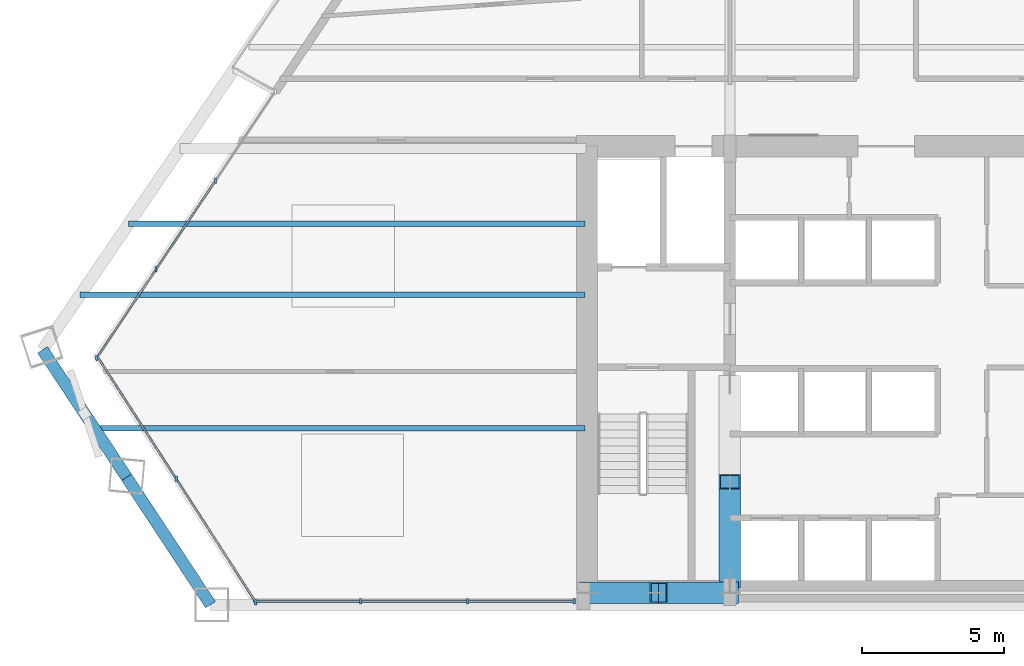
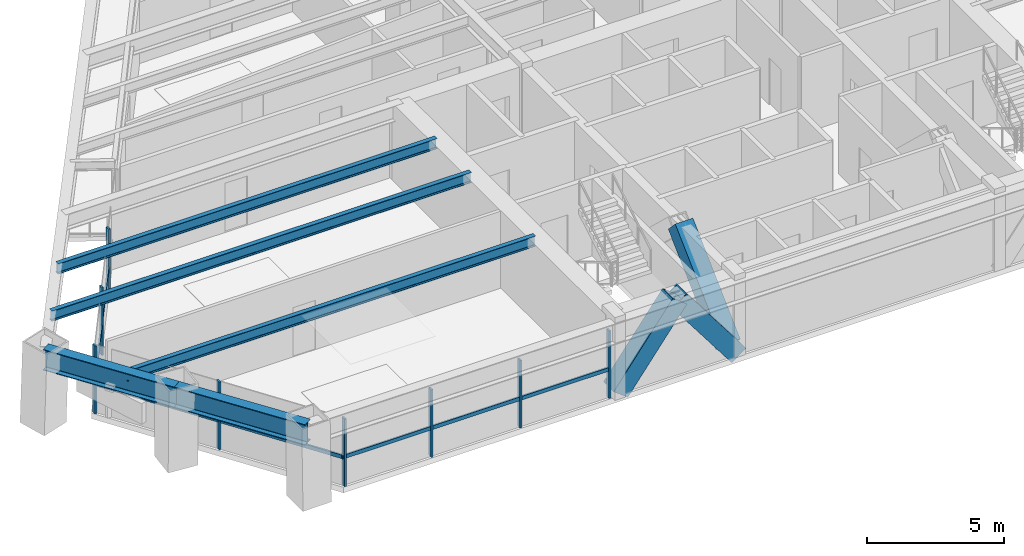
# One storey, part 2 of 14: 18 members, 5 beams, 3 elements without a shape of their own.
"""IFC4 building model written with IfcOpenShell, lengths in metres."""

from ifc_helpers import new_model, si_unit, direction, frame, origin, origin_2d, place, context, subcontext, project, spatial, rectangle, hollow_rectangle, i_section, extrude, source, transform, mapped, material, material_profile, profile_set, type_object, type_shapes, element, aggregate, save


model = new_model("IFC4")

# Units and contexts
model_context = context("Model", 3, precision=1e-05, world=origin(), true_north=direction((0.0, 1.0)))
body_context = subcontext(model_context, "Body", "Model", "MODEL_VIEW")
ifc_project = project(units=[si_unit("LENGTHUNIT", "METRE"), si_unit("AREAUNIT", "SQUARE_METRE"), si_unit("VOLUMEUNIT", "CUBIC_METRE"), si_unit("PLANEANGLEUNIT", "RADIAN"), si_unit("MASSUNIT", "GRAM", prefix="KILO")], contexts=[model_context])

# Site, building, storey
site_placement = place(None, origin())
site = spatial("IfcSite", under=ifc_project, at=site_placement, CompositionType="ELEMENT")
building_placement = place(site_placement, origin())
building = spatial("IfcBuilding", under=site, at=building_placement, Name="Varnakhor Terracotta Tower", CompositionType="ELEMENT")
storey_placement = place(building_placement, frame((0.0, 0.0, 102.5)))
storey = spatial("IfcBuildingStorey", under=building, at=storey_placement, Name="L25", CompositionType="ELEMENT", Elevation=102.5)

# Members
ifc_material_1 = material(Name="Steel S460", Category="steel")
ifc_material_profile_1 = material_profile(ifc_material_1, hollow_rectangle(XDim=0.75, YDim=0.75, WallThickness=0.044921875, at=origin_2d()), Name="HSS750X750X45")
ifc_profile_set_1 = profile_set([ifc_material_profile_1], Name="Steel S460")
member_type_1 = type_object("IfcMemberType", Name="MBR-MEGA-750", PredefinedType="BRACE", material=ifc_profile_set_1)
shared_shape_1 = source(origin(), body_context, "Body", "SweptSolid", [
    extrude(hollow_rectangle(XDim=0.75, YDim=0.75, WallThickness=0.044921875, at=origin_2d()), origin(), (0.0, 0.0, 1.0), 4.14013671875),
])
type_shapes(member_type_1, [shared_shape_1])
for number, where, z_axis, x_axis, name in (
    (1, (-10.5, 0.419921875, 0.0), (0.603852011179, 0.0, 0.797096448741), (0.0, 1.0, 0.0), "L25 Core Coupled Brace CSWA"),
    (2, (-5.5, 0.419921875, 0.0), (-0.603852011179, 0.0, 0.797096448741), (0.0, -1.0, 0.0), "L25 Core Coupled Brace CSWB"),
):
    element("IfcMember", number, at=place(storey_placement, frame(where, z_axis=z_axis, x_axis=x_axis)), inside=storey, type_object=member_type_1, Name=name, PredefinedType="BRACE", context=body_context, shape_type="MappedRepresentation", body=[
        mapped(shared_shape_1, transform((0.0, 0.0, 0.0), scale=1.0)),
    ])
shared_shape_2 = source(origin(), body_context, "Body", "SweptSolid", [
    extrude(hollow_rectangle(XDim=0.75, YDim=0.75, WallThickness=0.044921875, at=origin_2d()), origin(), (0.0, 0.0, 1.0), 4.792236328125),
])
member_1_placement = place(storey_placement, frame((-5.5, 0.85009765625, 0.0), z_axis=(0.0, 0.725110085518, 0.688632967466), x_axis=(-1.0, 0.0, 0.0)))
element("IfcMember", 3, at=member_1_placement, inside=storey, type_object=member_type_1, Name="L25 Core Coupled Brace CWWA", PredefinedType="BRACE", context=body_context, shape_type="MappedRepresentation", body=[
    mapped(shared_shape_2, transform((0.0, 0.0, 0.0), scale=1.0)),
])

# Beams
ifc_material_2 = material(Name="Steel S355", Category="steel")
ifc_material_profile_2 = material_profile(ifc_material_2, i_section(OverallWidth=0.41796875, OverallDepth=0.927001953125, WebThickness=0.01904296875, FlangeThickness=0.031982421875, FilletRadius=0.01806640625, at=origin_2d()), Name="W36X231")
ifc_profile_set_2 = profile_set([ifc_material_profile_2], Name="Steel S355")
beam_type_1 = type_object("IfcBeamType", Name="BM-W36X231", PredefinedType="BEAM", material=ifc_profile_set_2)
shared_shape_3 = source(origin(), body_context, "Body", "SweptSolid", [
    extrude(i_section(OverallWidth=0.41796875, OverallDepth=0.927001953125, WebThickness=0.01904296875, FlangeThickness=0.031982421875, FilletRadius=0.01806640625, at=origin_2d()), origin(), (0.0, 0.0, 1.0), 5.368408203125),
])
beam_1_placement = place(storey_placement, frame((-29.669677734375, 8.96484375, 2.986572265625), z_axis=(0.550284538836, -0.834977201077, 0.0), x_axis=(0.834977201077, 0.550284538836, 0.0)))
element("IfcBeam", 4, at=beam_1_placement, inside=storey, type_object=beam_type_1, Name="L25 Perimeter Spandrel 7", PredefinedType="BEAM", context=body_context, shape_type="MappedRepresentation", body=[
    mapped(shared_shape_3, transform((0.0, 0.0, 0.0), scale=1.0)),
])
shared_shape_4 = source(origin(), body_context, "Body", "SweptSolid", [
    extrude(i_section(OverallWidth=0.41796875, OverallDepth=0.927001953125, WebThickness=0.01904296875, FlangeThickness=0.031982421875, FilletRadius=0.01806640625, at=origin_2d()), origin(), (0.0, 0.0, 1.0), 5.3681640625),
])
beam_2_placement = place(storey_placement, frame((-26.715576171875, 4.482421875, 2.986572265625), z_axis=(0.550252830936, -0.834998097032, 0.0), x_axis=(0.834998097032, 0.550252830936, 0.0)))
element("IfcBeam", 5, at=beam_2_placement, inside=storey, type_object=beam_type_1, Name="L25 Perimeter Spandrel 8", PredefinedType="BEAM", context=body_context, shape_type="MappedRepresentation", body=[
    mapped(shared_shape_4, transform((0.0, 0.0, 0.0), scale=1.0)),
])
ifc_material_profile_3 = material_profile(ifc_material_2, i_section(OverallWidth=0.19189453125, OverallDepth=0.462890625, WebThickness=0.010498046875, FlangeThickness=0.017578125, FilletRadius=0.01806640625, at=origin_2d()), Name="W18X60")
ifc_profile_set_3 = profile_set([ifc_material_profile_3], Name="Steel S355")
beam_type_2 = type_object("IfcBeamType", Name="JST-W18X60", PredefinedType="JOIST", material=ifc_profile_set_3)
shared_shape_5 = source(origin(), body_context, "Body", "SweptSolid", [
    extrude(i_section(OverallWidth=0.19189453125, OverallDepth=0.462890625, WebThickness=0.010498046875, FlangeThickness=0.017578125, FilletRadius=0.01806640625, at=origin_2d()), origin(), (0.0, 0.0, 1.0), 17.247314453125),
])
beam_3_placement = place(storey_placement, frame((-27.847412109375, 6.199951171875, 3.218505859375), z_axis=(1.0, 0.0, 0.0), x_axis=(0.0, 1.0, 0.0)))
element("IfcBeam", 6, at=beam_3_placement, inside=storey, type_object=beam_type_2, Name="L25 Floor Joist W1", PredefinedType="JOIST", context=body_context, shape_type="MappedRepresentation", body=[
    mapped(shared_shape_5, transform((0.0, 0.0, 0.0), scale=1.0)),
])
shared_shape_6 = source(origin(), body_context, "Body", "SweptSolid", [
    extrude(i_section(OverallWidth=0.19189453125, OverallDepth=0.462890625, WebThickness=0.010498046875, FlangeThickness=0.017578125, FilletRadius=0.01806640625, at=origin_2d()), origin(), (0.0, 0.0, 1.0), 17.748291015625),
])
beam_4_placement = place(storey_placement, frame((-28.348388671875, 10.89990234375, 3.218505859375), z_axis=(1.0, 0.0, 0.0), x_axis=(0.0, 1.0, 0.0)))
element("IfcBeam", 7, at=beam_4_placement, inside=storey, type_object=beam_type_2, Name="L25 Floor Joist W2", PredefinedType="JOIST", context=body_context, shape_type="MappedRepresentation", body=[
    mapped(shared_shape_6, transform((0.0, 0.0, 0.0), scale=1.0)),
])
shared_shape_7 = source(origin(), body_context, "Body", "SweptSolid", [
    extrude(i_section(OverallWidth=0.19189453125, OverallDepth=0.462890625, WebThickness=0.010498046875, FlangeThickness=0.017578125, FilletRadius=0.01806640625, at=origin_2d()), origin(), (0.0, 0.0, 1.0), 16.04150390625),
])
beam_5_placement = place(storey_placement, frame((-26.6416015625, 13.39990234375, 3.218505859375), z_axis=(1.0, 0.0, 0.0), x_axis=(0.0, 1.0, 0.0)))
element("IfcBeam", 8, at=beam_5_placement, inside=storey, type_object=beam_type_2, Name="L25 Floor Joist W3", PredefinedType="JOIST", context=body_context, shape_type="MappedRepresentation", body=[
    mapped(shared_shape_7, transform((0.0, 0.0, 0.0), scale=1.0)),
])

# Curtain wall, members
ifc_material_3 = material(Name="Anodised Aluminium Curtain Wall System", Category="aluminium")
curtain_wall_type = type_object("IfcCurtainWallType", Name="CW-SYS-LOW-OFFICE", PredefinedType="NOTDEFINED", material=ifc_material_3)
curtain_wall_1_placement = place(storey_placement, origin())
curtain_wall_1 = element("IfcCurtainWall", 9, at=curtain_wall_1_placement, inside=storey, type_object=curtain_wall_type, Name="L25 W Facet Curtain Wall 1", PredefinedType="NOTDEFINED")
ifc_material_4 = material(Name="Anodised Aluminium 6063-T6", Category="aluminium")
ifc_material_profile_4 = material_profile(ifc_material_4, rectangle(XDim=0.074951171875, YDim=0.18505859375, at=origin_2d()), Name="ALU MULLION 75x185")
ifc_profile_set_4 = profile_set([ifc_material_profile_4], Name="Anodised Aluminium 6063-T6")
member_type_2 = type_object("IfcMemberType", Name="CWM-02", PredefinedType="MULLION", material=ifc_profile_set_4)
shared_shape_8 = source(origin(), body_context, "Body", "SweptSolid", [
    extrude(rectangle(XDim=0.074951171875, YDim=0.18505859375, at=origin_2d()), origin(), (0.0, 0.0, 1.0), 3.030029296875),
])
type_shapes(member_type_2, [shared_shape_8])
member_2_placement = place(storey_placement, frame((-27.76708984375, 8.680908203125, 0.0), z_axis=(0.0, 0.0, 1.0), x_axis=(1.0, 0.0, 0.0)))
member_2 = element("IfcMember", 10, at=member_2_placement, type_object=member_type_2, Name="L25 W Facet Curtain Wall 1 Mullion 1", PredefinedType="MULLION", context=body_context, shape_type="MappedRepresentation", body=[
    mapped(shared_shape_8, transform((0.0, 0.0, 0.0), scale=1.0)),
])
member_3_placement = place(storey_placement, frame((-25.680908203125, 11.79541015625, 0.0), z_axis=(0.0, 0.0, 1.0), x_axis=(1.0, 0.0, 0.0)))
member_3 = element("IfcMember", 11, at=member_3_placement, type_object=member_type_2, Name="L25 W Facet Curtain Wall 1 Mullion 2", PredefinedType="MULLION", context=body_context, shape_type="MappedRepresentation", body=[
    mapped(shared_shape_8, transform((0.0, 0.0, 0.0), scale=1.0)),
])
member_4_placement = place(storey_placement, frame((-23.594482421875, 14.909912109375, 0.0), z_axis=(0.0, 0.0, 1.0), x_axis=(1.0, 0.0, 0.0)))
member_4 = element("IfcMember", 12, at=member_4_placement, type_object=member_type_2, Name="L25 W Facet Curtain Wall 1 Mullion 3", PredefinedType="MULLION", context=body_context, shape_type="MappedRepresentation", body=[
    mapped(shared_shape_8, transform((0.0, 0.0, 0.0), scale=1.0)),
])

curtain_wall_2_placement = place(storey_placement, origin())
curtain_wall_2 = element("IfcCurtainWall", 13, at=curtain_wall_2_placement, inside=storey, type_object=curtain_wall_type, Name="L25 South Wing Curtain Wall SSW", PredefinedType="NOTDEFINED")
member_5_placement = place(storey_placement, frame((-10.969970703125, 0.1201171875, 0.0), z_axis=(0.0, 0.0, 1.0), x_axis=(1.0, 0.0, 0.0)))
member_5 = element("IfcMember", 14, at=member_5_placement, type_object=member_type_2, Name="L25 South Wing Curtain Wall SSW Mullion 1", PredefinedType="MULLION", context=body_context, shape_type="MappedRepresentation", body=[
    mapped(shared_shape_8, transform((0.0, 0.0, 0.0), scale=1.0)),
])
member_6_placement = place(storey_placement, frame((-14.7294921875, 0.1201171875, 0.0), z_axis=(0.0, 0.0, 1.0), x_axis=(1.0, 0.0, 0.0)))
member_6 = element("IfcMember", 15, at=member_6_placement, type_object=member_type_2, Name="L25 South Wing Curtain Wall SSW Mullion 2", PredefinedType="MULLION", context=body_context, shape_type="MappedRepresentation", body=[
    mapped(shared_shape_8, transform((0.0, 0.0, 0.0), scale=1.0)),
])
member_7_placement = place(storey_placement, frame((-18.4892578125, 0.1201171875, 0.0), z_axis=(0.0, 0.0, 1.0), x_axis=(1.0, 0.0, 0.0)))
member_7 = element("IfcMember", 16, at=member_7_placement, type_object=member_type_2, Name="L25 South Wing Curtain Wall SSW Mullion 3", PredefinedType="MULLION", context=body_context, shape_type="MappedRepresentation", body=[
    mapped(shared_shape_8, transform((0.0, 0.0, 0.0), scale=1.0)),
])

curtain_wall_3_placement = place(storey_placement, origin())
curtain_wall_3 = element("IfcCurtainWall", 17, at=curtain_wall_3_placement, inside=storey, type_object=curtain_wall_type, Name="L25 Facet Curtain Wall 6", PredefinedType="NOTDEFINED")
member_8_placement = place(storey_placement, frame((-22.17431640625, 0.090087890625, 0.0), z_axis=(0.0, 0.0, 1.0), x_axis=(1.0, 0.0, 0.0)))
member_8 = element("IfcMember", 18, at=member_8_placement, type_object=member_type_2, Name="L25 Facet Curtain Wall 6 Mullion 1", PredefinedType="MULLION", context=body_context, shape_type="MappedRepresentation", body=[
    mapped(shared_shape_8, transform((0.0, 0.0, 0.0), scale=1.0)),
])
member_9_placement = place(storey_placement, frame((-24.97021484375, 4.426513671875, 0.0), z_axis=(0.0, 0.0, 1.0), x_axis=(1.0, 0.0, 0.0)))
member_9 = element("IfcMember", 19, at=member_9_placement, type_object=member_type_2, Name="L25 Facet Curtain Wall 6 Mullion 2", PredefinedType="MULLION", context=body_context, shape_type="MappedRepresentation", body=[
    mapped(shared_shape_8, transform((0.0, 0.0, 0.0), scale=1.0)),
])

# Member
ifc_material_profile_5 = material_profile(ifc_material_4, rectangle(XDim=0.074951171875, YDim=0.1650390625, at=origin_2d()), Name="ALU TRANSOM 75x165")
ifc_profile_set_5 = profile_set([ifc_material_profile_5], Name="Anodised Aluminium 6063-T6")
member_type_3 = type_object("IfcMemberType", Name="CWT-02", PredefinedType="USERDEFINED", material=ifc_profile_set_5)
shared_shape_9 = source(origin(), body_context, "Body", "SweptSolid", [
    extrude(rectangle(XDim=0.074951171875, YDim=0.1650390625, at=origin_2d()), origin(), (0.0, 0.0, 1.0), 3.74853515625),
])
member_10_placement = place(storey_placement, frame((-27.76708984375, 8.680908203125, 1.272705078125), z_axis=(0.556517441149, 0.830835927062, 0.0), x_axis=(-0.830835927062, 0.556517441149, 0.0)))
member_10 = element("IfcMember", 20, at=member_10_placement, type_object=member_type_3, Name="L25 W Facet Curtain Wall 1 Transom 1", ObjectType="TRANSOM", PredefinedType="USERDEFINED", context=body_context, shape_type="MappedRepresentation", body=[
    mapped(shared_shape_9, transform((0.0, 0.0, 0.0), scale=1.0)),
])

shared_shape_10 = source(origin(), body_context, "Body", "SweptSolid", [
    extrude(rectangle(XDim=0.074951171875, YDim=0.1650390625, at=origin_2d()), origin(), (0.0, 0.0, 1.0), 3.748779296875),
])
member_11_placement = place(storey_placement, frame((-25.680908203125, 11.79541015625, 1.272705078125), z_axis=(0.556562395698, 0.83080581347, 0.0), x_axis=(-0.83080581347, 0.556562395698, 0.0)))
member_11 = element("IfcMember", 21, at=member_11_placement, type_object=member_type_3, Name="L25 W Facet Curtain Wall 1 Transom 2", ObjectType="TRANSOM", PredefinedType="USERDEFINED", context=body_context, shape_type="MappedRepresentation", body=[
    mapped(shared_shape_10, transform((0.0, 0.0, 0.0), scale=1.0)),
])

aggregate(curtain_wall_1, [member_2, member_10, member_3, member_11, member_4])

shared_shape_11 = source(origin(), body_context, "Body", "SweptSolid", [
    extrude(rectangle(XDim=0.074951171875, YDim=0.1650390625, at=origin_2d()), origin(), (0.0, 0.0, 1.0), 3.759521484375),
])
member_12_placement = place(storey_placement, frame((-10.969970703125, 0.1201171875, 1.272705078125), z_axis=(-1.0, 0.0, 0.0), x_axis=(0.0, -1.0, 0.0)))
member_12 = element("IfcMember", 22, at=member_12_placement, type_object=member_type_3, Name="L25 South Wing Curtain Wall SSW Transom 1", ObjectType="TRANSOM", PredefinedType="USERDEFINED", context=body_context, shape_type="MappedRepresentation", body=[
    mapped(shared_shape_11, transform((0.0, 0.0, 0.0), scale=1.0)),
])

member_13_placement = place(storey_placement, frame((-18.4892578125, 0.1201171875, 1.272705078125), z_axis=(-1.0, 0.0, 0.0), x_axis=(0.0, -1.0, 0.0)))
member_13 = element("IfcMember", 23, at=member_13_placement, type_object=member_type_3, Name="L25 South Wing Curtain Wall SSW Transom 3", ObjectType="TRANSOM", PredefinedType="USERDEFINED", context=body_context, shape_type="MappedRepresentation", body=[
    mapped(shared_shape_11, transform((0.0, 0.0, 0.0), scale=1.0)),
])

shared_shape_12 = source(origin(), body_context, "Body", "SweptSolid", [
    extrude(rectangle(XDim=0.074951171875, YDim=0.1650390625, at=origin_2d()), origin(), (0.0, 0.0, 1.0), 3.759765625),
])
member_14_placement = place(storey_placement, frame((-14.7294921875, 0.1201171875, 1.272705078125), z_axis=(-1.0, 0.0, 0.0), x_axis=(0.0, -1.0, 0.0)))
member_14 = element("IfcMember", 24, at=member_14_placement, type_object=member_type_3, Name="L25 South Wing Curtain Wall SSW Transom 2", ObjectType="TRANSOM", PredefinedType="USERDEFINED", context=body_context, shape_type="MappedRepresentation", body=[
    mapped(shared_shape_12, transform((0.0, 0.0, 0.0), scale=1.0)),
])

aggregate(curtain_wall_2, [member_5, member_12, member_6, member_14, member_7, member_13])

shared_shape_13 = source(origin(), body_context, "Body", "SweptSolid", [
    extrude(rectangle(XDim=0.074951171875, YDim=0.1650390625, at=origin_2d()), origin(), (0.0, 0.0, 1.0), 5.15966796875),
])
member_15_placement = place(storey_placement, frame((-22.17431640625, 0.090087890625, 1.272705078125), z_axis=(-0.541881114994, 0.840455148841, 0.0), x_axis=(-0.840455148841, -0.541881114994, 0.0)))
member_15 = element("IfcMember", 25, at=member_15_placement, type_object=member_type_3, Name="L25 Facet Curtain Wall 6 Transom 1", ObjectType="TRANSOM", PredefinedType="USERDEFINED", context=body_context, shape_type="MappedRepresentation", body=[
    mapped(shared_shape_13, transform((0.0, 0.0, 0.0), scale=1.0)),
])

shared_shape_14 = source(origin(), body_context, "Body", "SweptSolid", [
    extrude(rectangle(XDim=0.074951171875, YDim=0.1650390625, at=origin_2d()), origin(), (0.0, 0.0, 1.0), 5.159423828125),
])
member_16_placement = place(storey_placement, frame((-24.97021484375, 4.426513671875, 1.272705078125), z_axis=(-0.541936087799, 0.840419702733, 0.0), x_axis=(-0.840419702733, -0.541936087799, 0.0)))
member_16 = element("IfcMember", 26, at=member_16_placement, type_object=member_type_3, Name="L25 Facet Curtain Wall 6 Transom 2", ObjectType="TRANSOM", PredefinedType="USERDEFINED", context=body_context, shape_type="MappedRepresentation", body=[
    mapped(shared_shape_14, transform((0.0, 0.0, 0.0), scale=1.0)),
])

aggregate(curtain_wall_3, [member_8, member_15, member_9, member_16])

save(model, "model.ifc")
